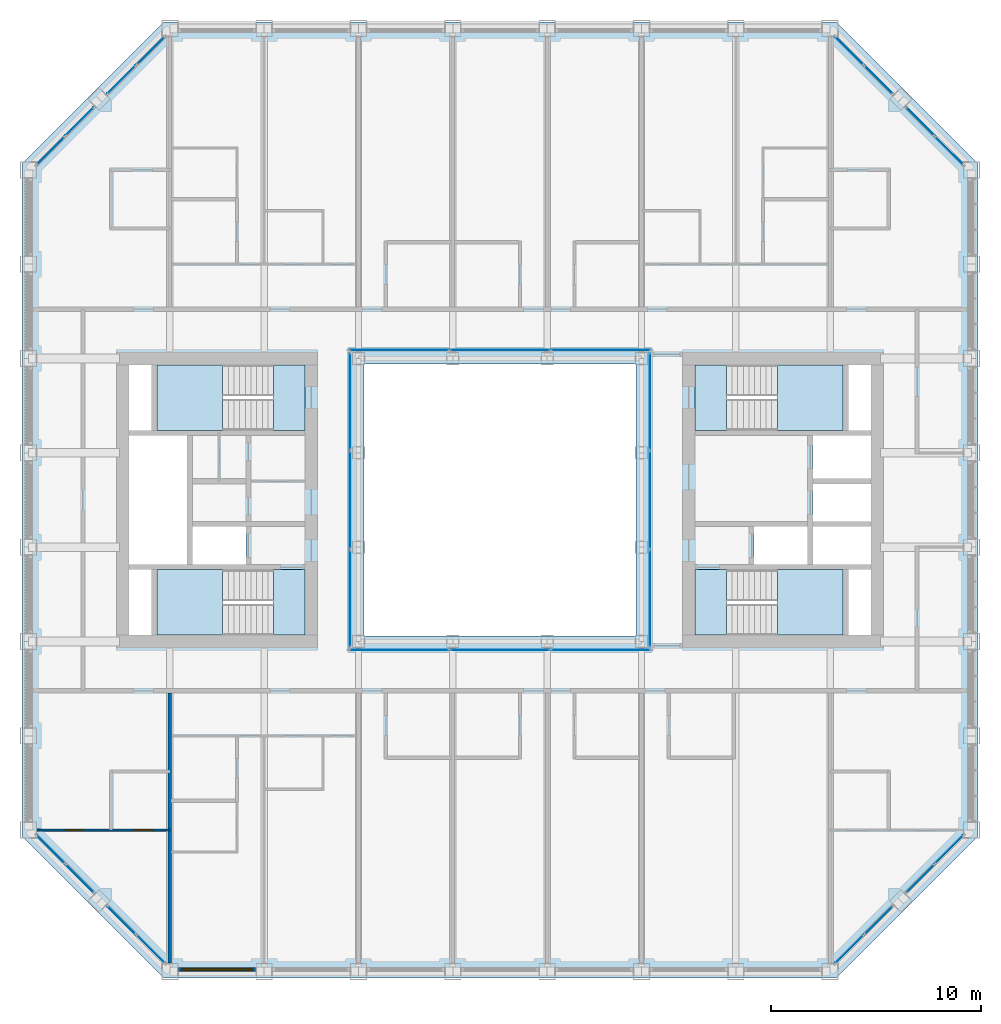
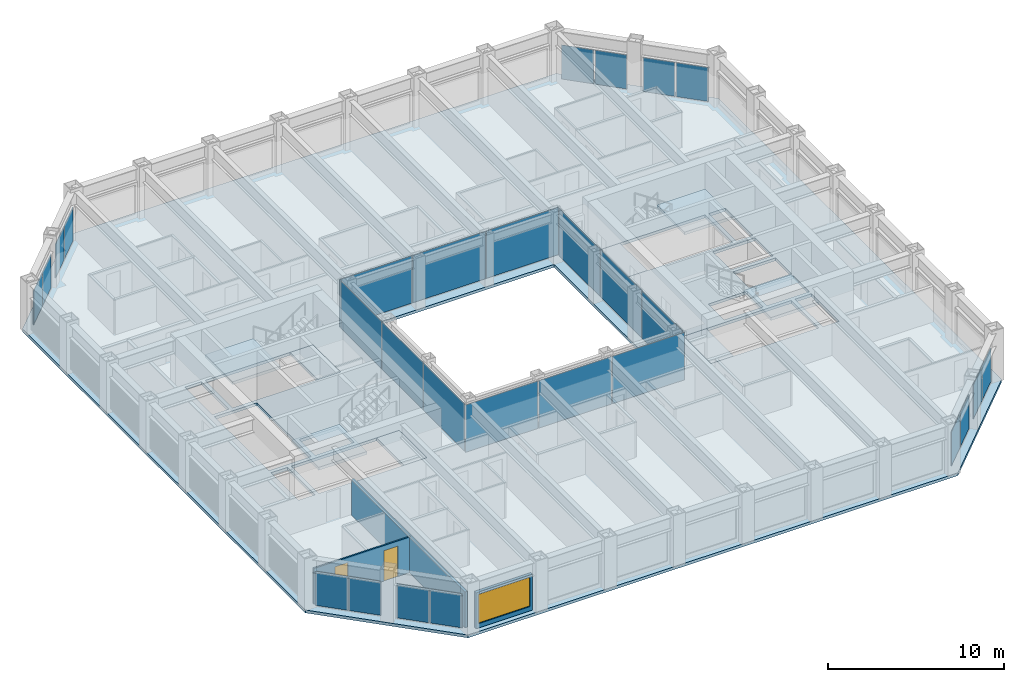
# One storey, part 9 of 18: 28 plates, 9 slabs, 3 walls, 2 doors, 1 window, 3 openings, 16 elements without a shape of their own.
"""IFC4 building model written with IfcOpenShell, lengths in metres."""

from ifc_helpers import new_model, si_unit, direction, frame, frame_2d, origin, origin_2d, place, context, subcontext, project, spatial, polyline, rectangle, outline, extrude, material, layer, layer_set, type_object, element, fill, aggregate, save


model = new_model("IFC4")

# Units and contexts
model_context = context("Model", 3, precision=1e-05, world=origin(), true_north=direction((0.0, 1.0)))
body_context = subcontext(model_context, "Body", "Model", "MODEL_VIEW")
ifc_project = project(units=[si_unit("LENGTHUNIT", "METRE"), si_unit("AREAUNIT", "SQUARE_METRE"), si_unit("VOLUMEUNIT", "CUBIC_METRE"), si_unit("PLANEANGLEUNIT", "RADIAN"), si_unit("MASSUNIT", "GRAM", prefix="KILO")], contexts=[model_context])

# Site, building, storey
site_placement = place(None, origin())
site = spatial("IfcSite", under=ifc_project, at=site_placement, CompositionType="ELEMENT")
building_placement = place(site_placement, origin())
building = spatial("IfcBuilding", under=site, at=building_placement, Name="Msasa Ring Tower", CompositionType="ELEMENT")
storey_placement = place(building_placement, frame((0.0, 0.0, 183.199951171875)))
storey = spatial("IfcBuildingStorey", under=building, at=storey_placement, Name="L48", CompositionType="ELEMENT", Elevation=183.199951171875)

# Curtain wall, plates
ifc_material_1 = material(Name="Aluminium curtain wall with clear glass", Category="aluminium")
curtain_wall_type_1 = type_object("IfcCurtainWallType", Name="CW-C CHAMFER CORNER CURTAIN WALL", PredefinedType="NOTDEFINED", material=ifc_material_1)
curtain_wall_1_placement = place(storey_placement, origin())
curtain_wall_1 = element("IfcCurtainWall", 1, at=curtain_wall_1_placement, inside=storey, type_object=curtain_wall_type_1, Name="Chamfer corner curtain wall SE L48", PredefinedType="NOTDEFINED")
ifc_material_2 = material(Name="Clear laminated insulating glass unit", Category="glass")
ifc_layer_1 = layer(ifc_material_2, 0.031982421875)
ifc_layer_set_1 = layer_set([ifc_layer_1], Name="CW-C GLASS PANEL 32")
plate_type_1 = type_object("IfcPlateType", Name="CW-C GLASS PANEL 32", PredefinedType="CURTAIN_PANEL", material=ifc_layer_set_1)
plate_1_placement = place(storey_placement, frame((16.677734375, -21.430908203125, 0.06494140625), z_axis=(0.0, 0.0, 1.0), x_axis=(0.707106781187, 0.707106781187, 0.0)))
plate_1 = element("IfcPlate", 2, at=plate_1_placement, type_object=plate_type_1, Name="CW-C panel 1.1", PredefinedType="CURTAIN_PANEL", context=body_context, shape_type="SweptSolid", body=[
    extrude(rectangle(XDim=1.884033203125, YDim=0.031982421875, at=origin_2d()), origin(), (0.0, 0.0, 1.0), 2.34912109375),
])
plate_2_placement = place(storey_placement, frame((18.055908203125, -20.052734375, 0.06494140625), z_axis=(0.0, 0.0, 1.0), x_axis=(0.707106781187, 0.707106781187, 0.0)))
plate_2 = element("IfcPlate", 3, at=plate_2_placement, type_object=plate_type_1, Name="CW-C panel 2.1", PredefinedType="CURTAIN_PANEL", context=body_context, shape_type="SweptSolid", body=[
    extrude(rectangle(XDim=1.884033203125, YDim=0.031982421875, at=origin_2d()), origin(), (0.0, 0.0, 1.0), 2.34912109375),
])
aggregate(curtain_wall_1, [plate_1, plate_2])

curtain_wall_2_placement = place(storey_placement, origin())
curtain_wall_2 = element("IfcCurtainWall", 4, at=curtain_wall_2_placement, inside=storey, type_object=curtain_wall_type_1, Name="Chamfer corner curtain wall SE L48", PredefinedType="NOTDEFINED")
plate_3_placement = place(storey_placement, frame((20.052734375, -18.055908203125, 0.06494140625), z_axis=(0.0, 0.0, 1.0), x_axis=(0.707106781187, 0.707106781187, 0.0)))
plate_3 = element("IfcPlate", 5, at=plate_3_placement, type_object=plate_type_1, Name="CW-C panel 1.1", PredefinedType="CURTAIN_PANEL", context=body_context, shape_type="SweptSolid", body=[
    extrude(rectangle(XDim=1.884033203125, YDim=0.031982421875, at=origin_2d()), origin(), (0.0, 0.0, 1.0), 2.34912109375),
])
plate_4_placement = place(storey_placement, frame((21.430908203125, -16.677734375, 0.06494140625), z_axis=(0.0, 0.0, 1.0), x_axis=(0.707106781187, 0.707106781187, 0.0)))
plate_4 = element("IfcPlate", 6, at=plate_4_placement, type_object=plate_type_1, Name="CW-C panel 2.1", PredefinedType="CURTAIN_PANEL", context=body_context, shape_type="SweptSolid", body=[
    extrude(rectangle(XDim=1.884033203125, YDim=0.031982421875, at=origin_2d()), origin(), (0.0, 0.0, 1.0), 2.34912109375),
])
aggregate(curtain_wall_2, [plate_3, plate_4])

curtain_wall_3_placement = place(storey_placement, origin())
curtain_wall_3 = element("IfcCurtainWall", 7, at=curtain_wall_3_placement, inside=storey, type_object=curtain_wall_type_1, Name="Chamfer corner curtain wall NE L48", PredefinedType="NOTDEFINED")
plate_5_placement = place(storey_placement, frame((18.055908203125, 20.052734375, 0.06494140625), z_axis=(0.0, 0.0, 1.0), x_axis=(-0.707106781187, 0.707106781187, 0.0)))
plate_5 = element("IfcPlate", 8, at=plate_5_placement, type_object=plate_type_1, Name="CW-C panel 1.1", PredefinedType="CURTAIN_PANEL", context=body_context, shape_type="SweptSolid", body=[
    extrude(rectangle(XDim=1.884033203125, YDim=0.031982421875, at=origin_2d()), origin(), (0.0, 0.0, 1.0), 2.34912109375),
])
plate_6_placement = place(storey_placement, frame((16.677734375, 21.430908203125, 0.06494140625), z_axis=(0.0, 0.0, 1.0), x_axis=(-0.707106781187, 0.707106781187, 0.0)))
plate_6 = element("IfcPlate", 9, at=plate_6_placement, type_object=plate_type_1, Name="CW-C panel 2.1", PredefinedType="CURTAIN_PANEL", context=body_context, shape_type="SweptSolid", body=[
    extrude(rectangle(XDim=1.884033203125, YDim=0.031982421875, at=origin_2d()), origin(), (0.0, 0.0, 1.0), 2.34912109375),
])
aggregate(curtain_wall_3, [plate_5, plate_6])

curtain_wall_4_placement = place(storey_placement, origin())
curtain_wall_4 = element("IfcCurtainWall", 10, at=curtain_wall_4_placement, inside=storey, type_object=curtain_wall_type_1, Name="Chamfer corner curtain wall NE L48", PredefinedType="NOTDEFINED")
plate_7_placement = place(storey_placement, frame((21.430908203125, 16.677734375, 0.06494140625), z_axis=(0.0, 0.0, 1.0), x_axis=(-0.707106781187, 0.707106781187, 0.0)))
plate_7 = element("IfcPlate", 11, at=plate_7_placement, type_object=plate_type_1, Name="CW-C panel 1.1", PredefinedType="CURTAIN_PANEL", context=body_context, shape_type="SweptSolid", body=[
    extrude(rectangle(XDim=1.884033203125, YDim=0.031982421875, at=origin_2d()), origin(), (0.0, 0.0, 1.0), 2.34912109375),
])
plate_8_placement = place(storey_placement, frame((20.052734375, 18.055908203125, 0.06494140625), z_axis=(0.0, 0.0, 1.0), x_axis=(-0.707106781187, 0.707106781187, 0.0)))
plate_8 = element("IfcPlate", 12, at=plate_8_placement, type_object=plate_type_1, Name="CW-C panel 2.1", PredefinedType="CURTAIN_PANEL", context=body_context, shape_type="SweptSolid", body=[
    extrude(rectangle(XDim=1.884033203125, YDim=0.031982421875, at=origin_2d()), origin(), (0.0, 0.0, 1.0), 2.34912109375),
])
aggregate(curtain_wall_4, [plate_7, plate_8])

curtain_wall_5_placement = place(storey_placement, origin())
curtain_wall_5 = element("IfcCurtainWall", 13, at=curtain_wall_5_placement, inside=storey, type_object=curtain_wall_type_1, Name="Chamfer corner curtain wall NW L48", PredefinedType="NOTDEFINED")
plate_9_placement = place(storey_placement, frame((-20.052734375, 18.055908203125, 0.06494140625), z_axis=(0.0, 0.0, 1.0), x_axis=(-0.707106781187, -0.707106781187, 0.0)))
plate_9 = element("IfcPlate", 14, at=plate_9_placement, type_object=plate_type_1, Name="CW-C panel 1.1", PredefinedType="CURTAIN_PANEL", context=body_context, shape_type="SweptSolid", body=[
    extrude(rectangle(XDim=1.884033203125, YDim=0.031982421875, at=origin_2d()), origin(), (0.0, 0.0, 1.0), 2.34912109375),
])
plate_10_placement = place(storey_placement, frame((-21.430908203125, 16.677734375, 0.06494140625), z_axis=(0.0, 0.0, 1.0), x_axis=(-0.707106781187, -0.707106781187, 0.0)))
plate_10 = element("IfcPlate", 15, at=plate_10_placement, type_object=plate_type_1, Name="CW-C panel 2.1", PredefinedType="CURTAIN_PANEL", context=body_context, shape_type="SweptSolid", body=[
    extrude(rectangle(XDim=1.884033203125, YDim=0.031982421875, at=origin_2d()), origin(), (0.0, 0.0, 1.0), 2.34912109375),
])
aggregate(curtain_wall_5, [plate_9, plate_10])

curtain_wall_6_placement = place(storey_placement, origin())
curtain_wall_6 = element("IfcCurtainWall", 16, at=curtain_wall_6_placement, inside=storey, type_object=curtain_wall_type_1, Name="Chamfer corner curtain wall NW L48", PredefinedType="NOTDEFINED")
plate_11_placement = place(storey_placement, frame((-16.677734375, 21.430908203125, 0.06494140625), z_axis=(0.0, 0.0, 1.0), x_axis=(-0.707106781187, -0.707106781187, 0.0)))
plate_11 = element("IfcPlate", 17, at=plate_11_placement, type_object=plate_type_1, Name="CW-C panel 1.1", PredefinedType="CURTAIN_PANEL", context=body_context, shape_type="SweptSolid", body=[
    extrude(rectangle(XDim=1.884033203125, YDim=0.031982421875, at=origin_2d()), origin(), (0.0, 0.0, 1.0), 2.34912109375),
])
plate_12_placement = place(storey_placement, frame((-18.055908203125, 20.052734375, 0.06494140625), z_axis=(0.0, 0.0, 1.0), x_axis=(-0.707106781187, -0.707106781187, 0.0)))
plate_12 = element("IfcPlate", 18, at=plate_12_placement, type_object=plate_type_1, Name="CW-C panel 2.1", PredefinedType="CURTAIN_PANEL", context=body_context, shape_type="SweptSolid", body=[
    extrude(rectangle(XDim=1.884033203125, YDim=0.031982421875, at=origin_2d()), origin(), (0.0, 0.0, 1.0), 2.34912109375),
])
aggregate(curtain_wall_6, [plate_11, plate_12])

curtain_wall_7_placement = place(storey_placement, origin())
curtain_wall_7 = element("IfcCurtainWall", 19, at=curtain_wall_7_placement, inside=storey, type_object=curtain_wall_type_1, Name="Chamfer corner curtain wall SW L48", PredefinedType="NOTDEFINED")
plate_13_placement = place(storey_placement, frame((-21.430908203125, -16.677734375, 0.06494140625), z_axis=(0.0, 0.0, 1.0), x_axis=(0.707106781187, -0.707106781187, 0.0)))
plate_13 = element("IfcPlate", 20, at=plate_13_placement, type_object=plate_type_1, Name="CW-C panel 1.1", PredefinedType="CURTAIN_PANEL", context=body_context, shape_type="SweptSolid", body=[
    extrude(rectangle(XDim=1.884033203125, YDim=0.031982421875, at=origin_2d()), origin(), (0.0, 0.0, 1.0), 2.34912109375),
])
plate_14_placement = place(storey_placement, frame((-20.052734375, -18.055908203125, 0.06494140625), z_axis=(0.0, 0.0, 1.0), x_axis=(0.707106781187, -0.707106781187, 0.0)))
plate_14 = element("IfcPlate", 21, at=plate_14_placement, type_object=plate_type_1, Name="CW-C panel 2.1", PredefinedType="CURTAIN_PANEL", context=body_context, shape_type="SweptSolid", body=[
    extrude(rectangle(XDim=1.884033203125, YDim=0.031982421875, at=origin_2d()), origin(), (0.0, 0.0, 1.0), 2.34912109375),
])
aggregate(curtain_wall_7, [plate_13, plate_14])

curtain_wall_8_placement = place(storey_placement, origin())
curtain_wall_8 = element("IfcCurtainWall", 22, at=curtain_wall_8_placement, inside=storey, type_object=curtain_wall_type_1, Name="Chamfer corner curtain wall SW L48", PredefinedType="NOTDEFINED")
plate_15_placement = place(storey_placement, frame((-18.055908203125, -20.052734375, 0.06494140625), z_axis=(0.0, 0.0, 1.0), x_axis=(0.707106781187, -0.707106781187, 0.0)))
plate_15 = element("IfcPlate", 23, at=plate_15_placement, type_object=plate_type_1, Name="CW-C panel 1.1", PredefinedType="CURTAIN_PANEL", context=body_context, shape_type="SweptSolid", body=[
    extrude(rectangle(XDim=1.884033203125, YDim=0.031982421875, at=origin_2d()), origin(), (0.0, 0.0, 1.0), 2.34912109375),
])
plate_16_placement = place(storey_placement, frame((-16.677734375, -21.430908203125, 0.06494140625), z_axis=(0.0, 0.0, 1.0), x_axis=(0.707106781187, -0.707106781187, 0.0)))
plate_16 = element("IfcPlate", 24, at=plate_16_placement, type_object=plate_type_1, Name="CW-C panel 2.1", PredefinedType="CURTAIN_PANEL", context=body_context, shape_type="SweptSolid", body=[
    extrude(rectangle(XDim=1.884033203125, YDim=0.031982421875, at=origin_2d()), origin(), (0.0, 0.0, 1.0), 2.34912109375),
])
aggregate(curtain_wall_8, [plate_15, plate_16])

ifc_material_3 = material(Name="Aluminium curtain wall with clear glass", Category="aluminium")
curtain_wall_type_2 = type_object("IfcCurtainWallType", Name="CW-W LIGHT WELL CURTAIN WALL", PredefinedType="NOTDEFINED", material=ifc_material_3)
curtain_wall_9_placement = place(storey_placement, origin())
curtain_wall_9 = element("IfcCurtainWall", 25, at=curtain_wall_9_placement, inside=storey, type_object=curtain_wall_type_2, Name="Light well curtain wall N L48", PredefinedType="NOTDEFINED")
ifc_material_4 = material(Name="Clear laminated insulating glass unit", Category="glass")
ifc_layer_2 = layer(ifc_material_4, 0.028076171875)
ifc_layer_set_2 = layer_set([ifc_layer_2], Name="CW-W GLASS PANEL 28")
plate_type_2 = type_object("IfcPlateType", Name="CW-W GLASS PANEL 28", PredefinedType="CURTAIN_PANEL", material=ifc_layer_set_2)
plate_17_placement = place(storey_placement, frame((-4.804931640625, 7.14990234375, 0.06005859375), z_axis=(0.0, 0.0, 1.0), x_axis=(1.0, 0.0, 0.0)))
plate_17 = element("IfcPlate", 26, at=plate_17_placement, type_object=plate_type_2, Name="CW-W panel 1.1", PredefinedType="CURTAIN_PANEL", context=body_context, shape_type="SweptSolid", body=[
    extrude(rectangle(XDim=4.72998046875, YDim=0.028076171875, at=origin_2d()), origin(), (0.0, 0.0, 1.0), 3.280029296875),
])
plate_18_placement = place(storey_placement, frame((0.0, 7.14990234375, 0.06005859375), z_axis=(0.0, 0.0, 1.0), x_axis=(1.0, 0.0, 0.0)))
plate_18 = element("IfcPlate", 27, at=plate_18_placement, type_object=plate_type_2, Name="CW-W panel 2.1", PredefinedType="CURTAIN_PANEL", context=body_context, shape_type="SweptSolid", body=[
    extrude(rectangle(XDim=4.760009765625, YDim=0.028076171875, at=origin_2d()), origin(), (0.0, 0.0, 1.0), 3.280029296875),
])
plate_19_placement = place(storey_placement, frame((4.804931640625, 7.14990234375, 0.06005859375), z_axis=(0.0, 0.0, 1.0), x_axis=(1.0, 0.0, 0.0)))
plate_19 = element("IfcPlate", 28, at=plate_19_placement, type_object=plate_type_2, Name="CW-W panel 3.1", PredefinedType="CURTAIN_PANEL", context=body_context, shape_type="SweptSolid", body=[
    extrude(rectangle(XDim=4.72998046875, YDim=0.028076171875, at=origin_2d()), origin(), (0.0, 0.0, 1.0), 3.280029296875),
])
aggregate(curtain_wall_9, [plate_17, plate_18, plate_19])

curtain_wall_10_placement = place(storey_placement, origin())
curtain_wall_10 = element("IfcCurtainWall", 29, at=curtain_wall_10_placement, inside=storey, type_object=curtain_wall_type_2, Name="Light well curtain wall S L48", PredefinedType="NOTDEFINED")
plate_20_placement = place(storey_placement, frame((-4.804931640625, -7.14990234375, 0.06005859375), z_axis=(0.0, 0.0, 1.0), x_axis=(1.0, 0.0, 0.0)))
plate_20 = element("IfcPlate", 30, at=plate_20_placement, type_object=plate_type_2, Name="CW-W panel 1.1", PredefinedType="CURTAIN_PANEL", context=body_context, shape_type="SweptSolid", body=[
    extrude(rectangle(XDim=4.72998046875, YDim=0.028076171875, at=origin_2d()), origin(), (0.0, 0.0, 1.0), 3.280029296875),
])
plate_21_placement = place(storey_placement, frame((0.0, -7.14990234375, 0.06005859375), z_axis=(0.0, 0.0, 1.0), x_axis=(1.0, 0.0, 0.0)))
plate_21 = element("IfcPlate", 31, at=plate_21_placement, type_object=plate_type_2, Name="CW-W panel 2.1", PredefinedType="CURTAIN_PANEL", context=body_context, shape_type="SweptSolid", body=[
    extrude(rectangle(XDim=4.760009765625, YDim=0.028076171875, at=origin_2d()), origin(), (0.0, 0.0, 1.0), 3.280029296875),
])
plate_22_placement = place(storey_placement, frame((4.804931640625, -7.14990234375, 0.06005859375), z_axis=(0.0, 0.0, 1.0), x_axis=(1.0, 0.0, 0.0)))
plate_22 = element("IfcPlate", 32, at=plate_22_placement, type_object=plate_type_2, Name="CW-W panel 3.1", PredefinedType="CURTAIN_PANEL", context=body_context, shape_type="SweptSolid", body=[
    extrude(rectangle(XDim=4.72998046875, YDim=0.028076171875, at=origin_2d()), origin(), (0.0, 0.0, 1.0), 3.280029296875),
])
aggregate(curtain_wall_10, [plate_20, plate_21, plate_22])

curtain_wall_11_placement = place(storey_placement, origin())
curtain_wall_11 = element("IfcCurtainWall", 33, at=curtain_wall_11_placement, inside=storey, type_object=curtain_wall_type_2, Name="Light well curtain wall E L48", PredefinedType="NOTDEFINED")
plate_23_placement = place(storey_placement, frame((7.14990234375, -4.6982421875, 0.06005859375), z_axis=(0.0, 0.0, 1.0), x_axis=(0.0, 1.0, 0.0)))
plate_23 = element("IfcPlate", 34, at=plate_23_placement, type_object=plate_type_2, Name="CW-W panel 1.1", PredefinedType="CURTAIN_PANEL", context=body_context, shape_type="SweptSolid", body=[
    extrude(rectangle(XDim=4.623291015625, YDim=0.028076171875, at=origin_2d()), origin(), (0.0, 0.0, 1.0), 3.280029296875),
])
plate_24_placement = place(storey_placement, frame((7.14990234375, 0.0, 0.06005859375), z_axis=(0.0, 0.0, 1.0), x_axis=(0.0, 1.0, 0.0)))
plate_24 = element("IfcPlate", 35, at=plate_24_placement, type_object=plate_type_2, Name="CW-W panel 2.1", PredefinedType="CURTAIN_PANEL", context=body_context, shape_type="SweptSolid", body=[
    extrude(rectangle(XDim=4.6533203125, YDim=0.028076171875, at=origin_2d()), origin(), (0.0, 0.0, 1.0), 3.280029296875),
])
plate_25_placement = place(storey_placement, frame((7.14990234375, 4.6982421875, 0.06005859375), z_axis=(0.0, 0.0, 1.0), x_axis=(0.0, 1.0, 0.0)))
plate_25 = element("IfcPlate", 36, at=plate_25_placement, type_object=plate_type_2, Name="CW-W panel 3.1", PredefinedType="CURTAIN_PANEL", context=body_context, shape_type="SweptSolid", body=[
    extrude(rectangle(XDim=4.623291015625, YDim=0.028076171875, at=origin_2d()), origin(), (0.0, 0.0, 1.0), 3.280029296875),
])
aggregate(curtain_wall_11, [plate_23, plate_24, plate_25])

curtain_wall_12_placement = place(storey_placement, origin())
curtain_wall_12 = element("IfcCurtainWall", 37, at=curtain_wall_12_placement, inside=storey, type_object=curtain_wall_type_2, Name="Light well curtain wall W L48", PredefinedType="NOTDEFINED")
plate_26_placement = place(storey_placement, frame((-7.14990234375, -4.6982421875, 0.06005859375), z_axis=(0.0, 0.0, 1.0), x_axis=(0.0, 1.0, 0.0)))
plate_26 = element("IfcPlate", 38, at=plate_26_placement, type_object=plate_type_2, Name="CW-W panel 1.1", PredefinedType="CURTAIN_PANEL", context=body_context, shape_type="SweptSolid", body=[
    extrude(rectangle(XDim=4.623291015625, YDim=0.028076171875, at=origin_2d()), origin(), (0.0, 0.0, 1.0), 3.280029296875),
])
plate_27_placement = place(storey_placement, frame((-7.14990234375, 0.0, 0.06005859375), z_axis=(0.0, 0.0, 1.0), x_axis=(0.0, 1.0, 0.0)))
plate_27 = element("IfcPlate", 39, at=plate_27_placement, type_object=plate_type_2, Name="CW-W panel 2.1", PredefinedType="CURTAIN_PANEL", context=body_context, shape_type="SweptSolid", body=[
    extrude(rectangle(XDim=4.6533203125, YDim=0.028076171875, at=origin_2d()), origin(), (0.0, 0.0, 1.0), 3.280029296875),
])
plate_28_placement = place(storey_placement, frame((-7.14990234375, 4.6982421875, 0.06005859375), z_axis=(0.0, 0.0, 1.0), x_axis=(0.0, 1.0, 0.0)))
plate_28 = element("IfcPlate", 40, at=plate_28_placement, type_object=plate_type_2, Name="CW-W panel 3.1", PredefinedType="CURTAIN_PANEL", context=body_context, shape_type="SweptSolid", body=[
    extrude(rectangle(XDim=4.623291015625, YDim=0.028076171875, at=origin_2d()), origin(), (0.0, 0.0, 1.0), 3.280029296875),
])
aggregate(curtain_wall_12, [plate_26, plate_27, plate_28])

# Stair, slabs
ifc_material_5 = material(Name="Concrete C40/50", Category="concrete")
stair_type = type_object("IfcStairType", Name="STC CORE STAIR 20 RISERS 180", PredefinedType="HALF_TURN_STAIR", material=ifc_material_5)
stair_1_placement = place(storey_placement, origin())
stair_1 = element("IfcStair", 41, at=stair_1_placement, inside=storey, type_object=stair_type, Name="Core stair SEA L48", PredefinedType="HALF_TURN_STAIR")
ifc_material_6 = material(Name="Concrete C40/50", Category="concrete")
ifc_layer_3 = layer(ifc_material_6, 0.199951171875)
ifc_layer_set_3 = layer_set([ifc_layer_3], Name="LD1 CORE STAIR LANDING 200")
slab_type_1 = type_object("IfcSlabType", Name="LD1 CORE STAIR LANDING 200", PredefinedType="LANDING", material=ifc_layer_set_3)
slab_1_placement = place(storey_placement, frame((0.0, 0.0, -0.199951171875)))
slab_1 = element("IfcSlab", 42, at=slab_1_placement, type_object=slab_type_1, Name="SEA landing 1", PredefinedType="LANDING", context=body_context, shape_type="SweptSolid", body=[
    extrude(outline(polyline([(9.300048828125, -6.449951171875), (10.800048828125, -6.449951171875), (10.800048828125, -3.324951171875), (9.300048828125, -3.324951171875), (9.300048828125, -6.449951171875)])), origin(), (0.0, 0.0, 1.0), 0.199951171875),
])
slab_2_placement = place(storey_placement, frame((0.0, 0.0, 1.60009765625)))
slab_2 = element("IfcSlab", 43, at=slab_2_placement, type_object=slab_type_1, Name="SEA landing 2", PredefinedType="LANDING", context=body_context, shape_type="SweptSolid", body=[
    extrude(outline(polyline([(13.22998046875, -6.449951171875), (16.375, -6.449951171875), (16.375, -3.324951171875), (13.22998046875, -3.324951171875), (13.22998046875, -6.449951171875)])), origin(), (0.0, 0.0, 1.0), 0.199951171875),
])
aggregate(stair_1, [slab_1, slab_2])

stair_2_placement = place(storey_placement, origin())
stair_2 = element("IfcStair", 44, at=stair_2_placement, inside=storey, type_object=stair_type, Name="Core stair SEB L48", PredefinedType="HALF_TURN_STAIR")
slab_3_placement = place(storey_placement, frame((0.0, 0.0, -0.199951171875)))
slab_3 = element("IfcSlab", 45, at=slab_3_placement, type_object=slab_type_1, Name="SEB landing 1", PredefinedType="LANDING", context=body_context, shape_type="SweptSolid", body=[
    extrude(outline(polyline([(9.300048828125, 3.324951171875), (10.800048828125, 3.324951171875), (10.800048828125, 6.449951171875), (9.300048828125, 6.449951171875), (9.300048828125, 3.324951171875)])), origin(), (0.0, 0.0, 1.0), 0.199951171875),
])
slab_4_placement = place(storey_placement, frame((0.0, 0.0, 1.60009765625)))
slab_4 = element("IfcSlab", 46, at=slab_4_placement, type_object=slab_type_1, Name="SEB landing 2", PredefinedType="LANDING", context=body_context, shape_type="SweptSolid", body=[
    extrude(outline(polyline([(13.22998046875, 3.324951171875), (16.375, 3.324951171875), (16.375, 6.449951171875), (13.22998046875, 6.449951171875), (13.22998046875, 3.324951171875)])), origin(), (0.0, 0.0, 1.0), 0.199951171875),
])
aggregate(stair_2, [slab_3, slab_4])

stair_3_placement = place(storey_placement, origin())
stair_3 = element("IfcStair", 47, at=stair_3_placement, inside=storey, type_object=stair_type, Name="Core stair SWA L48", PredefinedType="HALF_TURN_STAIR")
slab_5_placement = place(storey_placement, frame((0.0, 0.0, -0.199951171875)))
slab_5 = element("IfcSlab", 48, at=slab_5_placement, type_object=slab_type_1, Name="SWA landing 1", PredefinedType="LANDING", context=body_context, shape_type="SweptSolid", body=[
    extrude(outline(polyline([(-10.800048828125, -6.449951171875), (-9.300048828125, -6.449951171875), (-9.300048828125, -3.324951171875), (-10.800048828125, -3.324951171875), (-10.800048828125, -6.449951171875)])), origin(), (0.0, 0.0, 1.0), 0.199951171875),
])
slab_6_placement = place(storey_placement, frame((0.0, 0.0, 1.60009765625)))
slab_6 = element("IfcSlab", 49, at=slab_6_placement, type_object=slab_type_1, Name="SWA landing 2", PredefinedType="LANDING", context=body_context, shape_type="SweptSolid", body=[
    extrude(outline(polyline([(-16.375, -6.449951171875), (-13.22998046875, -6.449951171875), (-13.22998046875, -3.324951171875), (-16.375, -3.324951171875), (-16.375, -6.449951171875)])), origin(), (0.0, 0.0, 1.0), 0.199951171875),
])
aggregate(stair_3, [slab_5, slab_6])

stair_4_placement = place(storey_placement, origin())
stair_4 = element("IfcStair", 50, at=stair_4_placement, inside=storey, type_object=stair_type, Name="Core stair SWB L48", PredefinedType="HALF_TURN_STAIR")
slab_7_placement = place(storey_placement, frame((0.0, 0.0, -0.199951171875)))
slab_7 = element("IfcSlab", 51, at=slab_7_placement, type_object=slab_type_1, Name="SWB landing 1", PredefinedType="LANDING", context=body_context, shape_type="SweptSolid", body=[
    extrude(outline(polyline([(-10.800048828125, 3.324951171875), (-9.300048828125, 3.324951171875), (-9.300048828125, 6.449951171875), (-10.800048828125, 6.449951171875), (-10.800048828125, 3.324951171875)])), origin(), (0.0, 0.0, 1.0), 0.199951171875),
])
slab_8_placement = place(storey_placement, frame((0.0, 0.0, 1.60009765625)))
slab_8 = element("IfcSlab", 52, at=slab_8_placement, type_object=slab_type_1, Name="SWB landing 2", PredefinedType="LANDING", context=body_context, shape_type="SweptSolid", body=[
    extrude(outline(polyline([(-16.375, 3.324951171875), (-13.22998046875, 3.324951171875), (-13.22998046875, 6.449951171875), (-16.375, 6.449951171875), (-16.375, 3.324951171875)])), origin(), (0.0, 0.0, 1.0), 0.199951171875),
])
aggregate(stair_4, [slab_7, slab_8])

# Slab
ifc_material_7 = material(Name="Concrete C40/50", Category="concrete")
ifc_layer_4 = layer(ifc_material_7, 0.199951171875)
ifc_layer_set_4 = layer_set([ifc_layer_4], Name="S6 GUEST FLOOR 200")
slab_type_2 = type_object("IfcSlabType", Name="S6 GUEST FLOOR 200", PredefinedType="FLOOR", material=ifc_layer_set_4)
slab_9_placement = place(storey_placement, frame((0.0, 0.0, -0.199951171875)))
element("IfcSlab", 53, at=slab_9_placement, inside=storey, type_object=slab_type_2, Name="Floor slab L48", PredefinedType="FLOOR", context=body_context, shape_type="SweptSolid", body=[
    extrude(outline(polyline([(-16.050048828125, -22.800048828125), (16.050048828125, -22.800048828125), (22.800048828125, -16.050048828125), (22.800048828125, 16.050048828125), (16.050048828125, 22.800048828125), (-16.050048828125, 22.800048828125), (-22.800048828125, 16.050048828125), (-22.800048828125, -16.050048828125), (-16.050048828125, -22.800048828125)]), holes=[polyline([(-6.5, -6.5), (6.5, -6.5), (6.5, 6.5), (-6.5, 6.5), (-6.5, -6.5)]), polyline([(9.300048828125, -6.449951171875), (16.375, -6.449951171875), (16.375, -3.324951171875), (9.300048828125, -3.324951171875), (9.300048828125, -6.449951171875)]), polyline([(9.300048828125, 3.324951171875), (16.375, 3.324951171875), (16.375, 6.449951171875), (9.300048828125, 6.449951171875), (9.300048828125, 3.324951171875)]), polyline([(12.125, -3.074951171875), (14.675048828125, -3.074951171875), (14.675048828125, -1.27490234375), (12.125, -1.27490234375), (12.125, -3.074951171875)]), polyline([(16.625, -6.449951171875), (17.699951171875, -6.449951171875), (17.699951171875, -3.324951171875), (16.625, -3.324951171875), (16.625, -6.449951171875)]), polyline([(16.625, 3.324951171875), (17.699951171875, 3.324951171875), (17.699951171875, 6.449951171875), (16.625, 6.449951171875), (16.625, 3.324951171875)]), polyline([(14.925048828125, -3.074951171875), (17.699951171875, -3.074951171875), (17.699951171875, -1.27490234375), (14.925048828125, -1.27490234375), (14.925048828125, -3.074951171875)]), polyline([(14.925048828125, -1.02490234375), (17.699951171875, -1.02490234375), (17.699951171875, 0.77490234375), (14.925048828125, 0.77490234375), (14.925048828125, -1.02490234375)]), polyline([(14.925048828125, 1.02490234375), (17.699951171875, 1.02490234375), (17.699951171875, 3.074951171875), (14.925048828125, 3.074951171875), (14.925048828125, 1.02490234375)]), polyline([(-16.375, -6.449951171875), (-9.300048828125, -6.449951171875), (-9.300048828125, -3.324951171875), (-16.375, -3.324951171875), (-16.375, -6.449951171875)]), polyline([(-16.375, 3.324951171875), (-9.300048828125, 3.324951171875), (-9.300048828125, 6.449951171875), (-16.375, 6.449951171875), (-16.375, 3.324951171875)]), polyline([(-14.675048828125, -3.074951171875), (-12.125, -3.074951171875), (-12.125, -1.27490234375), (-14.675048828125, -1.27490234375), (-14.675048828125, -3.074951171875)]), polyline([(-17.699951171875, -6.449951171875), (-16.625, -6.449951171875), (-16.625, -3.324951171875), (-17.699951171875, -3.324951171875), (-17.699951171875, -6.449951171875)]), polyline([(-17.699951171875, 3.324951171875), (-16.625, 3.324951171875), (-16.625, 6.449951171875), (-17.699951171875, 6.449951171875), (-17.699951171875, 3.324951171875)]), polyline([(-17.699951171875, -3.074951171875), (-14.925048828125, -3.074951171875), (-14.925048828125, 3.074951171875), (-17.699951171875, 3.074951171875), (-17.699951171875, -3.074951171875)])]), origin(), (0.0, 0.0, 1.0), 0.199951171875),
])

# Wall, opening, window
ifc_material_8 = material(Name="Terracotta rainscreen on blockwork", Category="masonry")
ifc_layer_5 = layer(ifc_material_8, 0.199951171875)
ifc_layer_set_5 = layer_set([ifc_layer_5], Name="FW1 TERRACOTTA-LINED INFILL BAY WALL 200")
wall_type_1 = type_object("IfcWallType", Name="FW1 TERRACOTTA-LINED INFILL BAY WALL 200", PredefinedType="SOLIDWALL", material=ifc_layer_set_5)
wall_1_placement = place(storey_placement, frame((-15.344970703125, -22.39990234375, 0.0), z_axis=(0.0, 0.0, 1.0), x_axis=(1.0, 0.0, 0.0)))
wall_1 = element("IfcWall", 54, at=wall_1_placement, inside=storey, type_object=wall_type_1, Name="Infill bay wall S L48 00", PredefinedType="SOLIDWALL", context=body_context, shape_type="SweptSolid", body=[
    extrude(rectangle(XDim=3.68994140625, YDim=0.199951171875, at=frame_2d((1.844970703125, 0.0))), origin(), (0.0, 0.0, 1.0), 2.47900390625),
])
opening_1_placement = place(wall_1_placement, frame((0.14501953125, 0.0, 0.300048828125)))
opening_1 = element("IfcOpeningElement", 55, at=opening_1_placement, cuts=wall_1, Name="Opening WN2", PredefinedType="OPENING", context=body_context, shape_type="SweptSolid", body=[
    extrude(rectangle(XDim=3.39990234375, YDim=2.029052734375, at=frame_2d((1.699951171875, 1.0146484375))), frame((0.0, 0.10986328125, 0.0), z_axis=(0.0, -1.0, 0.0), x_axis=(1.0, 0.0, 0.0)), (0.0, 0.0, 1.0), 0.219970703125),
])
ifc_material_9 = material(Name="Aluminium frame with clear glass", Category="aluminium")
window_type = type_object("IfcWindowType", Name="WN2 GUEST ROOM WINDOW 3400x2029", PartitioningType="SINGLE_PANEL", PredefinedType="WINDOW", material=ifc_material_9)
window_placement = place(opening_1_placement, origin())
window = element("IfcWindow", 56, at=window_placement, inside=storey, type_object=window_type, Name="Window S L48 00", OverallHeight=2.029052734375, OverallWidth=3.39990234375, PartitioningType="SINGLE_PANEL", PredefinedType="WINDOW", context=body_context, shape_type="SweptSolid", body=[
    extrude(rectangle(XDim=3.39990234375, YDim=2.029052734375, at=frame_2d((1.699951171875, 1.0146484375))), frame((0.0, 0.030029296875, 0.0), z_axis=(0.0, -1.0, 0.0), x_axis=(1.0, 0.0, 0.0)), (0.0, 0.0, 1.0), 0.06005859375),
])
fill(opening_1, window)

# Wall, openings, doors
ifc_material_10 = material(Name="Gypsum board on steel studs", Category="steel")
ifc_layer_6 = layer(ifc_material_10, 0.10009765625)
ifc_layer_set_6 = layer_set([ifc_layer_6], Name="PT2 STUD PARTITION 100")
wall_type_2 = type_object("IfcWallType", Name="PT2 STUD PARTITION 100", PredefinedType="PARTITIONING", material=ifc_layer_set_6)
wall_2_placement = place(storey_placement, frame((-22.10009765625, -15.75, 0.0), z_axis=(0.0, 0.0, 1.0), x_axis=(1.0, 0.0, 0.0)))
wall_2 = element("IfcWall", 57, at=wall_2_placement, inside=storey, type_object=wall_type_2, Name="Partition L48-CSSWX", PredefinedType="PARTITIONING", context=body_context, shape_type="SweptSolid", body=[
    extrude(rectangle(XDim=6.35009765625, YDim=0.10009765625, at=frame_2d((3.175048828125, 0.0))), origin(), (0.0, 0.0, 1.0), 2.473388671875),
])
opening_2_placement = place(wall_2_placement, frame((1.375, 0.0, 0.0)))
opening_2 = element("IfcOpeningElement", 58, at=opening_2_placement, cuts=wall_2, Name="Opening HG-056", PredefinedType="OPENING", context=body_context, shape_type="SweptSolid", body=[
    extrude(rectangle(XDim=0.85009765625, YDim=2.10009765625, at=frame_2d((0.425048828125, 1.050048828125))), frame((0.0, 0.06005859375, 0.0), z_axis=(0.0, -1.0, 0.0), x_axis=(1.0, 0.0, 0.0)), (0.0, 0.0, 1.0), 0.1201171875),
])
opening_3_placement = place(wall_2_placement, frame((4.60009765625, 0.0, 0.0)))
opening_3 = element("IfcOpeningElement", 59, at=opening_3_placement, cuts=wall_2, Name="Opening HG-057", PredefinedType="OPENING", context=body_context, shape_type="SweptSolid", body=[
    extrude(rectangle(XDim=0.89990234375, YDim=2.10009765625, at=frame_2d((0.449951171875, 1.050048828125))), frame((0.0, 0.06005859375, 0.0), z_axis=(0.0, -1.0, 0.0), x_axis=(1.0, 0.0, 0.0)), (0.0, 0.0, 1.0), 0.1201171875),
])
ifc_material_11 = material(Name="Timber door leaf in a steel frame", Category="steel")
door_type_1 = type_object("IfcDoorType", Name="D14 BEDROOM DOOR 850x2100", OperationType="SINGLE_SWING_LEFT", PredefinedType="DOOR", material=ifc_material_11)
door_1_placement = place(opening_2_placement, origin())
door_1 = element("IfcDoor", 60, at=door_1_placement, inside=storey, type_object=door_type_1, Name="Door L48-CSSWR1", OperationType="SINGLE_SWING_LEFT", OverallHeight=2.10009765625, OverallWidth=0.85009765625, PredefinedType="DOOR", context=body_context, shape_type="SweptSolid", body=[
    extrude(rectangle(XDim=0.85009765625, YDim=2.10009765625, at=frame_2d((0.425048828125, 1.050048828125))), frame((0.0, 0.02490234375, 0.0), z_axis=(0.0, -1.0, 0.0), x_axis=(1.0, 0.0, 0.0)), (0.0, 0.0, 1.0), 0.050048828125),
])
fill(opening_2, door_1)
ifc_material_12 = material(Name="Timber door leaf in a steel frame", Category="steel")
door_type_2 = type_object("IfcDoorType", Name="D3 BATHROOM DOOR 900x2100", OperationType="SINGLE_SWING_LEFT", PredefinedType="DOOR", material=ifc_material_12)
door_2_placement = place(opening_3_placement, origin())
door_2 = element("IfcDoor", 61, at=door_2_placement, inside=storey, type_object=door_type_2, Name="Door L48-CSSWB1", OperationType="SINGLE_SWING_RIGHT", OverallHeight=2.10009765625, OverallWidth=0.89990234375, PredefinedType="DOOR", context=body_context, shape_type="SweptSolid", body=[
    extrude(rectangle(XDim=0.89990234375, YDim=2.10009765625, at=frame_2d((0.449951171875, 1.050048828125))), frame((0.0, 0.02490234375, 0.0), z_axis=(0.0, -1.0, 0.0), x_axis=(1.0, 0.0, 0.0)), (0.0, 0.0, 1.0), 0.050048828125),
])
fill(opening_3, door_2)

# Wall
ifc_material_13 = material(Name="Twin steel studs, two layers of acoustic board each face, mineral wool", Category="steel")
ifc_layer_7 = layer(ifc_material_13, 0.175048828125)
ifc_layer_set_7 = layer_set([ifc_layer_7], Name="PT5 GUEST ROOM SEPARATING WALL 175")
wall_type_3 = type_object("IfcWallType", Name="PT5 GUEST ROOM SEPARATING WALL 175", PredefinedType="PARTITIONING", material=ifc_layer_set_7)
wall_3_placement = place(storey_placement, frame((-15.75, -22.10009765625, 0.0), z_axis=(0.0, 0.0, 1.0), x_axis=(0.0, 1.0, 0.0)))
element("IfcWall", 62, at=wall_3_placement, inside=storey, type_object=wall_type_3, Name="Partition L48-PWS-15.75", PredefinedType="PARTITIONING", context=body_context, shape_type="SweptSolid", body=[
    extrude(rectangle(XDim=12.900146484375, YDim=0.175048828125, at=frame_2d((6.4501953125, 0.0))), origin(), (0.0, 0.0, 1.0), 2.473388671875),
])

save(model, "model.ifc")
